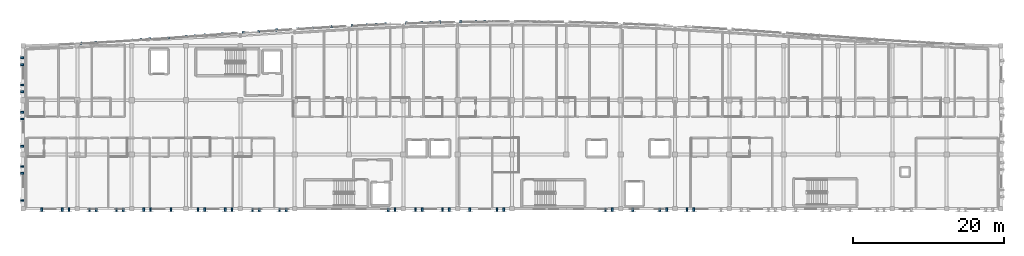
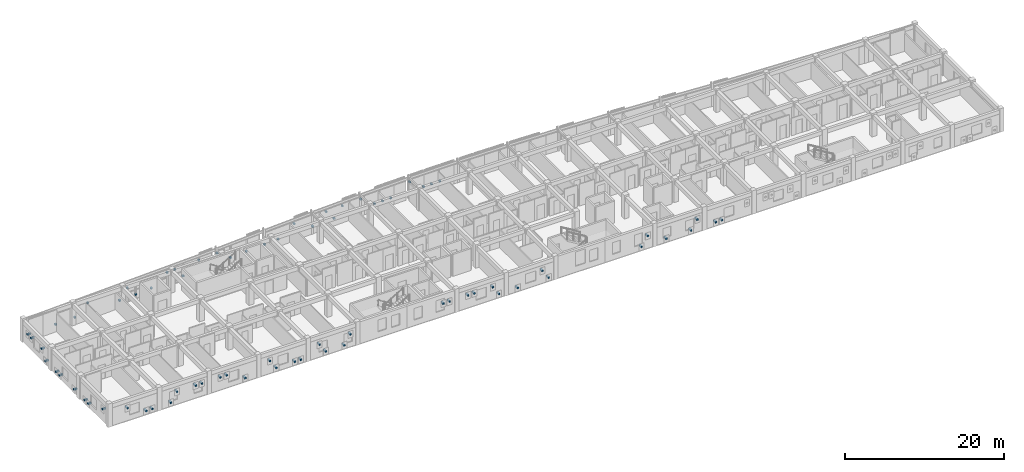
# One storey, part 45 of 48: 73 discrete accessories.
"""IFC4 building model written with IfcOpenShell, lengths in metres."""

from ifc_helpers import new_model, si_unit, direction, frame, origin, origin_2d, place, context, subcontext, project, spatial, rectangle, extrude, material, type_object, element, save


model = new_model("IFC4")

# Units and contexts
model_context = context("Model", 3, precision=1e-05, world=origin(), true_north=direction((0.0, 1.0)))
body_context = subcontext(model_context, "Body", "Model", "MODEL_VIEW")
ifc_project = project(units=[si_unit("LENGTHUNIT", "METRE"), si_unit("AREAUNIT", "SQUARE_METRE"), si_unit("VOLUMEUNIT", "CUBIC_METRE"), si_unit("PLANEANGLEUNIT", "RADIAN"), si_unit("MASSUNIT", "GRAM", prefix="KILO")], contexts=[model_context])

# Site, building, storey
site_placement = place(None, origin())
site = spatial("IfcSite", under=ifc_project, at=site_placement, CompositionType="ELEMENT")
building_placement = place(site_placement, origin())
building = spatial("IfcBuilding", under=site, at=building_placement, Name="Carrowvane Square Congress Hotel", CompositionType="ELEMENT")
storey_placement = place(building_placement, frame((0.0, 0.0, 26.39990234375)))
storey = spatial("IfcBuildingStorey", under=building, at=storey_placement, Name="L06", CompositionType="ELEMENT", Elevation=26.39990234375)

# Discrete accessories
ifc_material = material(Name="Stainless steel 316", Category="steel")
discrete_accessory_type = type_object("IfcDiscreteAccessoryType", Name="ACC-BRK-SS", PredefinedType="BRACKET", material=ifc_material)
for number, where, z_axis, x_axis, name in (
    (1, (38.03125, 113.62255859375, 0.56005859375), (0.0, 0.0, 1.0), (0.99891730083, 0.046521243556, 0.0), "Pixel screen mullion bracket 514"),
    (2, (40.888916015625, 113.759033203125, 0.56005859375), (0.0, 0.0, 1.0), (0.998566941363, 0.053516947007, 0.0), "Pixel screen mullion bracket 515"),
    (3, (42.830322265625, 113.86328125, 2.0302734375), (0.0, 0.0, 1.0), (0.998258866948, 0.05898503675, 0.0), "Pixel screen mullion bracket 516"),
    (4, (47.629638671875, 114.157470703125, 0.56005859375), (0.0, 0.0, 1.0), (0.997781458784, 0.066574473385, 0.0), "Pixel screen mullion bracket 517"),
    (5, (48.794677734375, 114.2353515625, 2.0302734375), (0.0, 0.0, 1.0), (0.997781458784, 0.066574473385, 0.0), "Pixel screen mullion bracket 518"),
    (6, (50.0244140625, 114.3173828125, 0.56005859375), (0.0, 0.0, 1.0), (0.99761759323, 0.068986503591, 0.0), "Pixel screen mullion bracket 519"),
    (7, (52.42919921875, 114.483642578125, 0.56005859375), (0.0, 0.0, 1.0), (0.997505756275, 0.070585169822, 0.0), "Pixel screen mullion bracket 520"),
    (8, (54.82421875, 114.6533203125, 2.0302734375), (0.0, 0.0, 1.0), (0.997446326449, 0.071420066188, 0.0), "Pixel screen mullion bracket 521"),
    (9, (55.994384765625, 114.737060546875, 2.0302734375), (0.0, 0.0, 1.0), (0.997446326449, 0.071420066188, 0.0), "Pixel screen mullion bracket 522"),
    (10, (57.229248046875, 114.825439453125, 0.56005859375), (0.0, 0.0, 1.0), (0.997438267187, 0.071532532122, 0.0), "Pixel screen mullion bracket 523"),
    (11, (59.624267578125, 114.9970703125, 2.0302734375), (0.0, 0.0, 1.0), (0.997479379392, 0.070956942496, 0.0), "Pixel screen mullion bracket 524"),
    (12, (62.386474609375, 115.193115234375, 2.0302734375), (0.0, 0.0, 1.0), (0.997566258056, 0.069724893606, 0.0), "Pixel screen mullion bracket 525"),
    (13, (64.424560546875, 115.33544921875, 0.56005859375), (0.0, 0.0, 1.0), (0.9976944394, 0.067866085713, 0.0), "Pixel screen mullion bracket 526"),
    (14, (66.82958984375, 115.4990234375, 0.56005859375), (0.0, 0.0, 1.0), (0.99785825325, 0.065413350476, 0.0), "Pixel screen mullion bracket 527"),
    (15, (69.5849609375, 115.678466796875, 0.56005859375), (0.0, 0.0, 1.0), (0.998051413269, 0.062396926785, 0.0), "Pixel screen mullion bracket 528"),
    (16, (71.630126953125, 115.80615234375, 0.56005859375), (0.0, 0.0, 1.0), (0.998266695506, 0.05885239709, 0.0), "Pixel screen mullion bracket 529"),
    (17, (74.025634765625, 115.947265625, 2.0302734375), (0.0, 0.0, 1.0), (0.998496552462, 0.054814548441, 0.0), "Pixel screen mullion bracket 530"),
    (18, (76.79541015625, 116.09765625, 0.56005859375), (0.0, 0.0, 1.0), (0.998733066647, 0.050321581706, 0.0), "Pixel screen mullion bracket 531"),
    (19, (78.826416015625, 116.19970703125, 2.0302734375), (0.0, 0.0, 1.0), (0.998968255262, 0.045413929349, 0.0), "Pixel screen mullion bracket 532"),
    (20, (79.996337890625, 116.2529296875, 0.56005859375), (0.0, 0.0, 1.0), (0.998968255262, 0.045413929349, 0.0), "Pixel screen mullion bracket 533"),
    (21, (81.231689453125, 116.308837890625, 2.0302734375), (0.0, 0.0, 1.0), (0.999194294234, 0.040134304148, 0.0), "Pixel screen mullion bracket 534"),
    (22, (83.997802734375, 116.417724609375, 2.0302734375), (0.0, 0.0, 1.0), (0.999403768784, 0.034526901703, 0.0), "Pixel screen mullion bracket 535"),
    (23, (86.03271484375, 116.48779296875, 0.56005859375), (0.0, 0.0, 1.0), (0.999589805464, 0.028639497417, 0.0), "Pixel screen mullion bracket 536"),
    (24, (87.19775390625, 116.521240234375, 0.56005859375), (0.0, 0.0, 1.0), (0.999589805464, 0.028639497417, 0.0), "Pixel screen mullion bracket 537"),
    (25, (88.42822265625, 116.556396484375, 0.56005859375), (0.0, 0.0, 1.0), (0.999746418061, 0.022518871507, 0.0), "Pixel screen mullion bracket 538"),
    (26, (91.211181640625, 116.616455078125, 2.0302734375), (0.0, 0.0, 1.0), (0.999868508772, 0.016216200758, 0.0), "Pixel screen mullion bracket 539"),
    (27, (93.229248046875, 116.64892578125, 0.56005859375), (0.0, 0.0, 1.0), (0.999952150705, 0.009782448565, 0.0), "Pixel screen mullion bracket 540"),
    (28, (94.399169921875, 116.660400390625, 0.56005859375), (0.0, 0.0, 1.0), (0.999952150705, 0.009782448565, 0.0), "Pixel screen mullion bracket 541"),
    (29, (95.634765625, 116.67236328125, 0.56005859375), (0.0, 0.0, 1.0), (0.999994654955, 0.003269565853, 0.0), "Pixel screen mullion bracket 542"),
):
    element("IfcDiscreteAccessory", number, at=place(storey_placement, frame(where, z_axis=z_axis, x_axis=x_axis)), inside=storey, type_object=discrete_accessory_type, Name=name, PredefinedType="BRACKET", context=body_context, shape_type="SweptSolid", body=[
        extrude(rectangle(XDim=0.239990234375, YDim=0.280029296875, at=origin_2d()), origin(), (0.0, 0.0, 1.0), 0.239990234375),
    ])
for number, where, z_axis, x_axis, name in (
    (30, (122.10009765625, 91.659912109375, 0.56005859375), (0.0, 0.0, 1.0), (-1.0, 0.0, 0.0), "V5 pixel screen bracket 596"),
    (31, (121.199951171875, 91.659912109375, 0.56005859375), (0.0, 0.0, 1.0), (-1.0, 0.0, 0.0), "V5 pixel screen bracket 597"),
    (32, (118.5, 91.659912109375, 1.93017578125), (0.0, 0.0, 1.0), (-1.0, 0.0, 0.0), "V5 pixel screen bracket 598"),
    (33, (117.60009765625, 91.659912109375, 0.56005859375), (0.0, 0.0, 1.0), (-1.0, 0.0, 0.0), "V5 pixel screen bracket 599"),
    (34, (114.0, 91.659912109375, 0.56005859375), (0.0, 0.0, 1.0), (-1.0, 0.0, 0.0), "V5 pixel screen bracket 600"),
    (35, (111.300048828125, 91.659912109375, 1.93017578125), (0.0, 0.0, 1.0), (-1.0, 0.0, 0.0), "V5 pixel screen bracket 601"),
    (36, (110.39990234375, 91.659912109375, 0.56005859375), (0.0, 0.0, 1.0), (-1.0, 0.0, 0.0), "V5 pixel screen bracket 602"),
    (37, (96.89990234375, 91.659912109375, 0.56005859375), (0.0, 0.0, 1.0), (-1.0, 0.0, 0.0), "V5 pixel screen bracket 603"),
    (38, (96.0, 91.659912109375, 1.93017578125), (0.0, 0.0, 1.0), (-1.0, 0.0, 0.0), "V5 pixel screen bracket 604"),
    (39, (92.39990234375, 91.659912109375, 0.56005859375), (0.0, 0.0, 1.0), (-1.0, 0.0, 0.0), "V5 pixel screen bracket 605"),
    (40, (89.699951171875, 91.659912109375, 0.56005859375), (0.0, 0.0, 1.0), (-1.0, 0.0, 0.0), "V5 pixel screen bracket 606"),
    (41, (88.800048828125, 91.659912109375, 1.93017578125), (0.0, 0.0, 1.0), (-1.0, 0.0, 0.0), "V5 pixel screen bracket 607"),
    (42, (86.10009765625, 91.659912109375, 1.93017578125), (0.0, 0.0, 1.0), (-1.0, 0.0, 0.0), "V5 pixel screen bracket 608"),
    (43, (85.199951171875, 91.659912109375, 1.93017578125), (0.0, 0.0, 1.0), (-1.0, 0.0, 0.0), "V5 pixel screen bracket 609"),
    (44, (82.5, 91.659912109375, 1.93017578125), (0.0, 0.0, 1.0), (-1.0, 0.0, 0.0), "V5 pixel screen bracket 610"),
    (45, (81.60009765625, 91.659912109375, 1.93017578125), (0.0, 0.0, 1.0), (-1.0, 0.0, 0.0), "V5 pixel screen bracket 611"),
    (46, (68.10009765625, 91.659912109375, 1.93017578125), (0.0, 0.0, 1.0), (-1.0, 0.0, 0.0), "V5 pixel screen bracket 612"),
    (47, (67.199951171875, 91.659912109375, 0.56005859375), (0.0, 0.0, 1.0), (-1.0, 0.0, 0.0), "V5 pixel screen bracket 613"),
    (48, (64.5, 91.659912109375, 0.56005859375), (0.0, 0.0, 1.0), (-1.0, 0.0, 0.0), "V5 pixel screen bracket 614"),
    (49, (63.60009765625, 91.659912109375, 1.93017578125), (0.0, 0.0, 1.0), (-1.0, 0.0, 0.0), "V5 pixel screen bracket 615"),
    (50, (60.89990234375, 91.659912109375, 0.56005859375), (0.0, 0.0, 1.0), (-1.0, 0.0, 0.0), "V5 pixel screen bracket 616"),
    (51, (60.0, 91.659912109375, 0.56005859375), (0.0, 0.0, 1.0), (-1.0, 0.0, 0.0), "V5 pixel screen bracket 617"),
    (52, (57.300048828125, 91.659912109375, 0.56005859375), (0.0, 0.0, 1.0), (-1.0, 0.0, 0.0), "V5 pixel screen bracket 618"),
    (53, (56.39990234375, 91.659912109375, 1.93017578125), (0.0, 0.0, 1.0), (-1.0, 0.0, 0.0), "V5 pixel screen bracket 619"),
    (54, (52.800048828125, 91.659912109375, 0.56005859375), (0.0, 0.0, 1.0), (-1.0, 0.0, 0.0), "V5 pixel screen bracket 620"),
    (55, (50.10009765625, 91.659912109375, 1.93017578125), (0.0, 0.0, 1.0), (-1.0, 0.0, 0.0), "V5 pixel screen bracket 621"),
    (56, (49.199951171875, 91.659912109375, 1.93017578125), (0.0, 0.0, 1.0), (-1.0, 0.0, 0.0), "V5 pixel screen bracket 622"),
    (57, (46.5, 91.659912109375, 1.93017578125), (0.0, 0.0, 1.0), (-1.0, 0.0, 0.0), "V5 pixel screen bracket 623"),
    (58, (45.60009765625, 91.659912109375, 1.93017578125), (0.0, 0.0, 1.0), (-1.0, 0.0, 0.0), "V5 pixel screen bracket 624"),
    (59, (42.89990234375, 91.659912109375, 1.93017578125), (0.0, 0.0, 1.0), (-1.0, 0.0, 0.0), "V5 pixel screen bracket 625"),
    (60, (42.0, 91.659912109375, 0.56005859375), (0.0, 0.0, 1.0), (-1.0, 0.0, 0.0), "V5 pixel screen bracket 626"),
    (61, (39.300048828125, 91.659912109375, 0.56005859375), (0.0, 0.0, 1.0), (-1.0, 0.0, 0.0), "V5 pixel screen bracket 627"),
    (62, (38.39990234375, 91.659912109375, 0.56005859375), (0.0, 0.0, 1.0), (-1.0, 0.0, 0.0), "V5 pixel screen bracket 628"),
    (63, (35.699951171875, 91.659912109375, 1.93017578125), (0.0, 0.0, 1.0), (-1.0, 0.0, 0.0), "V5 pixel screen bracket 629"),
    (64, (33.06005859375, 92.89990234375, 1.9150390625), (0.0, 0.0, 1.0), (0.0, 1.0, 0.0), "V5 pixel screen bracket 630"),
    (65, (33.06005859375, 96.5, 0.56005859375), (0.0, 0.0, 1.0), (0.0, 1.0, 0.0), "V5 pixel screen bracket 631"),
    (66, (33.06005859375, 97.39990234375, 0.56005859375), (0.0, 0.0, 1.0), (0.0, 1.0, 0.0), "V5 pixel screen bracket 632"),
    (67, (33.06005859375, 100.10009765625, 0.56005859375), (0.0, 0.0, 1.0), (0.0, 1.0, 0.0), "V5 pixel screen bracket 633"),
    (68, (33.06005859375, 103.699951171875, 0.56005859375), (0.0, 0.0, 1.0), (0.0, 1.0, 0.0), "V5 pixel screen bracket 634"),
    (69, (33.06005859375, 104.60009765625, 0.56005859375), (0.0, 0.0, 1.0), (0.0, 1.0, 0.0), "V5 pixel screen bracket 635"),
    (70, (33.06005859375, 107.300048828125, 0.56005859375), (0.0, 0.0, 1.0), (0.0, 1.0, 0.0), "V5 pixel screen bracket 636"),
    (71, (33.06005859375, 108.199951171875, 1.9150390625), (0.0, 0.0, 1.0), (0.0, 1.0, 0.0), "V5 pixel screen bracket 637"),
    (72, (33.06005859375, 110.89990234375, 1.9150390625), (0.0, 0.0, 1.0), (0.0, 1.0, 0.0), "V5 pixel screen bracket 638"),
    (73, (33.06005859375, 111.800048828125, 1.9150390625), (0.0, 0.0, 1.0), (0.0, 1.0, 0.0), "V5 pixel screen bracket 639"),
):
    element("IfcDiscreteAccessory", number, at=place(storey_placement, frame(where, z_axis=z_axis, x_axis=x_axis)), inside=storey, type_object=discrete_accessory_type, Name=name, PredefinedType="BRACKET", context=body_context, shape_type="SweptSolid", body=[
        extrude(rectangle(XDim=0.239990234375, YDim=0.52001953125, at=origin_2d()), origin(), (0.0, 0.0, 1.0), 0.239990234375),
    ])

save(model, "model.ifc")
